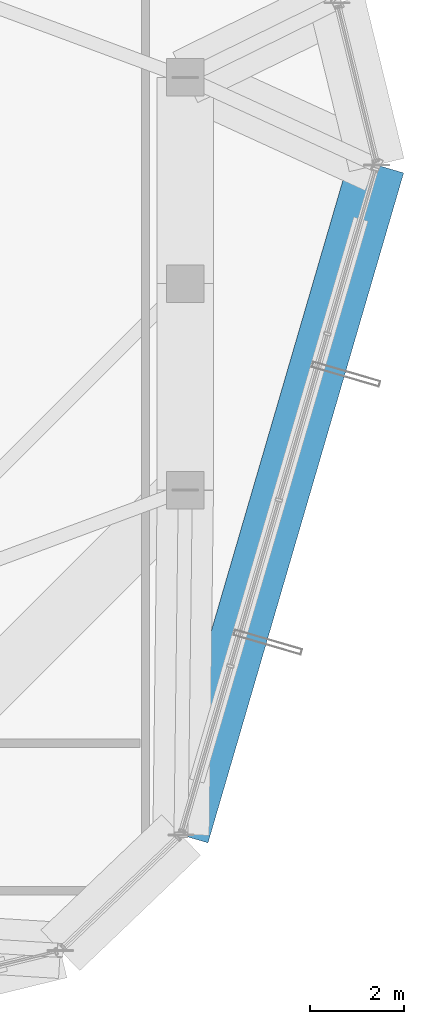
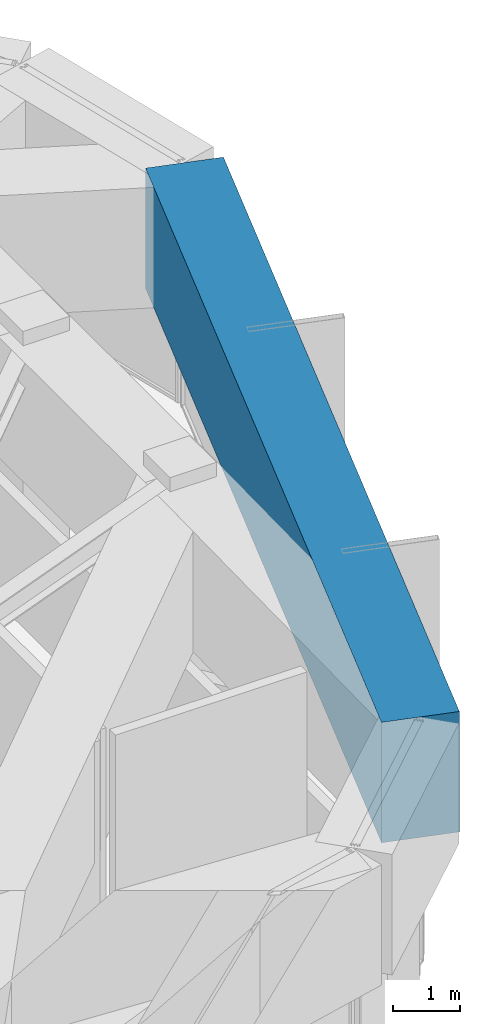
# One storey, part 25 of 39: 1 beam.
"""IFC4 building model written with IfcOpenShell, lengths in metres."""

from ifc_helpers import new_model, si_unit, direction, frame, origin, origin_2d, place, context, subcontext, project, spatial, rectangle, extrude, material, material_profile, profile_set, type_object, element, save


model = new_model("IFC4")

# Units and contexts
model_context = context("Model", 3, precision=1e-05, world=origin(), true_north=direction((0.0, 1.0)))
body_context = subcontext(model_context, "Body", "Model", "MODEL_VIEW")
ifc_project = project(units=[si_unit("LENGTHUNIT", "METRE"), si_unit("AREAUNIT", "SQUARE_METRE"), si_unit("VOLUMEUNIT", "CUBIC_METRE"), si_unit("PLANEANGLEUNIT", "RADIAN"), si_unit("MASSUNIT", "GRAM", prefix="KILO")], contexts=[model_context])

# Site, building, storey
site_placement = place(None, origin())
site = spatial("IfcSite", under=ifc_project, at=site_placement, CompositionType="ELEMENT")
building_placement = place(site_placement, origin())
building = spatial("IfcBuilding", under=site, at=building_placement, Name="Veraguas Prism Commons", CompositionType="ELEMENT")
storey_placement = place(building_placement, frame((0.0, 0.0, 264.25)))
storey = spatial("IfcBuildingStorey", under=building, at=storey_placement, Name="L75", CompositionType="ELEMENT", Elevation=264.25)

# Beam
ifc_material = material(Name="Concrete C50/60", Category="concrete")
ifc_material_profile = material_profile(ifc_material, rectangle(XDim=1.199951171875, YDim=2.199951171875, at=origin_2d()), Name="RC1200X2200")
ifc_profile_set = profile_set([ifc_material_profile], Name="Concrete C50/60")
beam_type = type_object("IfcBeamType", Name="Podium Transfer Girder RC 1200x2200", PredefinedType="BEAM", material=ifc_profile_set)
beam_placement = place(storey_placement, frame((37.7080078125, 12.242431640625, 3.2900390625), z_axis=(0.280343833739, 0.959899648341, 0.0), x_axis=(-0.959899648341, 0.280343833739, 0.0)))
element("IfcBeam", 1, at=beam_placement, inside=storey, type_object=beam_type, Name="Crown Base Ring Beam L75-12", PredefinedType="BEAM", context=body_context, shape_type="SweptSolid", body=[
    extrude(rectangle(XDim=1.199951171875, YDim=2.199951171875, at=origin_2d()), origin(), (0.0, 0.0, 1.0), 14.886474609375),
])

save(model, "model.ifc")
